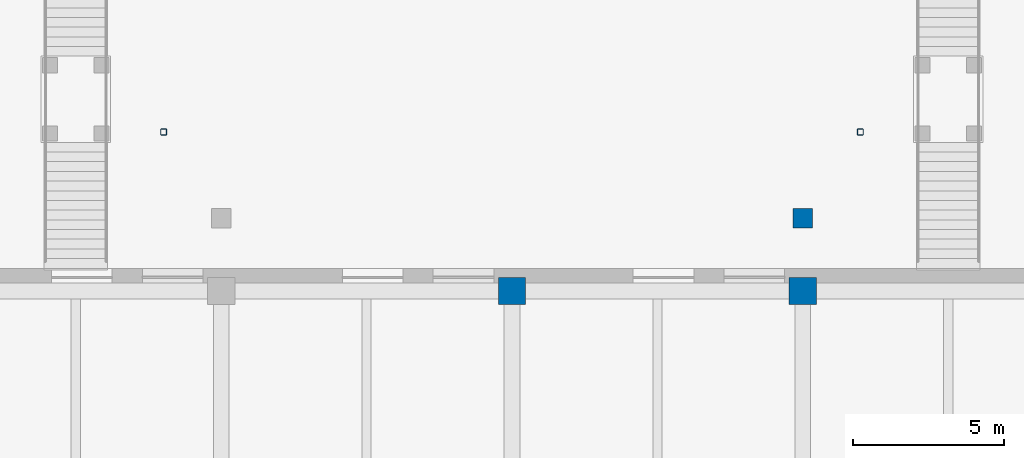
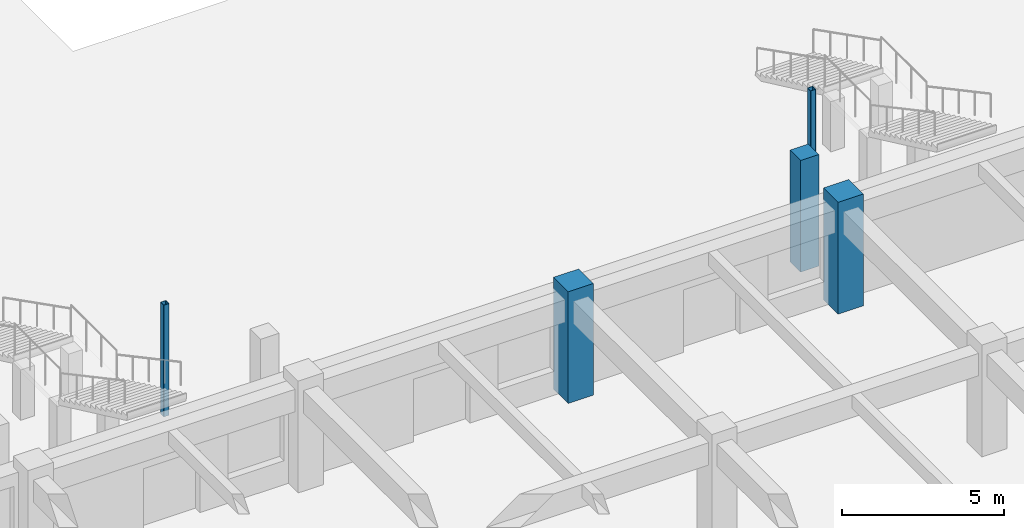
# One storey, part 2 of 39: 5 columns.
"""IFC4 building model written with IfcOpenShell, lengths in metres."""

from ifc_helpers import new_model, si_unit, direction, frame, origin, origin_2d, place, context, subcontext, project, spatial, rectangle, hollow_rectangle, extrude, material, material_profile, profile_set, type_object, element, save


model = new_model("IFC4")

# Units and contexts
model_context = context("Model", 3, precision=1e-05, world=origin(), true_north=direction((0.0, 1.0)))
body_context = subcontext(model_context, "Body", "Model", "MODEL_VIEW")
ifc_project = project(units=[si_unit("LENGTHUNIT", "METRE"), si_unit("AREAUNIT", "SQUARE_METRE"), si_unit("VOLUMEUNIT", "CUBIC_METRE"), si_unit("PLANEANGLEUNIT", "RADIAN"), si_unit("MASSUNIT", "GRAM", prefix="KILO")], contexts=[model_context])

# Site, building, storey
site_placement = place(None, origin())
site = spatial("IfcSite", under=ifc_project, at=site_placement, CompositionType="ELEMENT")
building_placement = place(site_placement, origin())
building = spatial("IfcBuilding", under=site, at=building_placement, Name="Nakhvara Creek Congress Hotel", CompositionType="ELEMENT")
storey_placement = place(building_placement, frame((0.0, 0.0, -4.199951171875)))
storey = spatial("IfcBuildingStorey", under=building, at=storey_placement, Name="B1", CompositionType="ELEMENT", Elevation=-4.199951171875)

# Columns
ifc_material_1 = material(Name="Concrete C50/60", Category="concrete")
ifc_material_profile_1 = material_profile(ifc_material_1, rectangle(XDim=0.64990234375, YDim=0.64990234375, at=origin_2d()), Name="RC-COL 650x650", Category="LoadBearing")
ifc_profile_set_1 = profile_set([ifc_material_profile_1], Name="Concrete C50/60")
column_type_1 = type_object("IfcColumnType", Name="COL-RC-650", PredefinedType="COLUMN", material=ifc_profile_set_1)
column_placement = place(storey_placement, frame((105.60009765625, 97.64990234375, 0.0), z_axis=(0.0, 0.0, 1.0), x_axis=(1.0, 0.0, 0.0)))
element("IfcColumn", 1, at=column_placement, inside=storey, type_object=column_type_1, Name="Column C07-B1-0481", PredefinedType="COLUMN", context=body_context, shape_type="SweptSolid", body=[
    extrude(rectangle(XDim=0.64990234375, YDim=0.64990234375, at=origin_2d()), origin(), (0.0, 0.0, 1.0), 4.199951171875),
])
ifc_material_profile_2 = material_profile(ifc_material_1, rectangle(XDim=0.89990234375, YDim=0.89990234375, at=origin_2d()), Name="RC-COL 900x900", Category="LoadBearing")
ifc_profile_set_2 = profile_set([ifc_material_profile_2], Name="Concrete C50/60")
column_type_2 = type_object("IfcColumnType", Name="COL-RC-900", PredefinedType="COLUMN", material=ifc_profile_set_2)
for number, where, z_axis, x_axis, name in (
    (2, (96.0, 95.25, 0.0), (0.0, 0.0, 1.0), (1.0, 0.0, 0.0), "Column C03-B1-0416"),
    (3, (105.60009765625, 95.25, 0.0), (0.0, 0.0, 1.0), (1.0, 0.0, 0.0), "Column C03-B1-0424"),
):
    element("IfcColumn", number, at=place(storey_placement, frame(where, z_axis=z_axis, x_axis=x_axis)), inside=storey, type_object=column_type_2, Name=name, PredefinedType="COLUMN", context=body_context, shape_type="SweptSolid", body=[
        extrude(rectangle(XDim=0.89990234375, YDim=0.89990234375, at=origin_2d()), origin(), (0.0, 0.0, 1.0), 4.199951171875),
    ])
ifc_material_2 = material(Name="Steel S355J2", Category="steel")
ifc_material_profile_3 = material_profile(ifc_material_2, hollow_rectangle(XDim=0.199951171875, YDim=0.199951171875, WallThickness=0.010009765625, InnerFilletRadius=0.010009765625, OuterFilletRadius=0.02001953125, at=origin_2d()), Name="SHS 200x200x10.0", Category="LoadBearing")
ifc_profile_set_3 = profile_set([ifc_material_profile_3], Name="Steel S355J2")
column_type_3 = type_object("IfcColumnType", Name="COL-ST-SHS200", PredefinedType="COLUMN", material=ifc_profile_set_3)
for number, where, z_axis, x_axis, name in (
    (4, (84.5, 100.5, 0.0), (0.0, 0.0, 1.0), (1.0, 0.0, 0.0), "Forecourt Canopy Post 1"),
    (5, (107.5, 100.5, 0.0), (0.0, 0.0, 1.0), (1.0, 0.0, 0.0), "Forecourt Canopy Post 2"),
):
    element("IfcColumn", number, at=place(storey_placement, frame(where, z_axis=z_axis, x_axis=x_axis)), inside=storey, type_object=column_type_3, Name=name, PredefinedType="COLUMN", context=body_context, shape_type="SweptSolid", body=[
        extrude(hollow_rectangle(XDim=0.199951171875, YDim=0.199951171875, WallThickness=0.010009765625, InnerFilletRadius=0.010009765625, OuterFilletRadius=0.02001953125, at=origin_2d()), origin(), (0.0, 0.0, 1.0), 4.199951171875),
    ])

save(model, "model.ifc")
